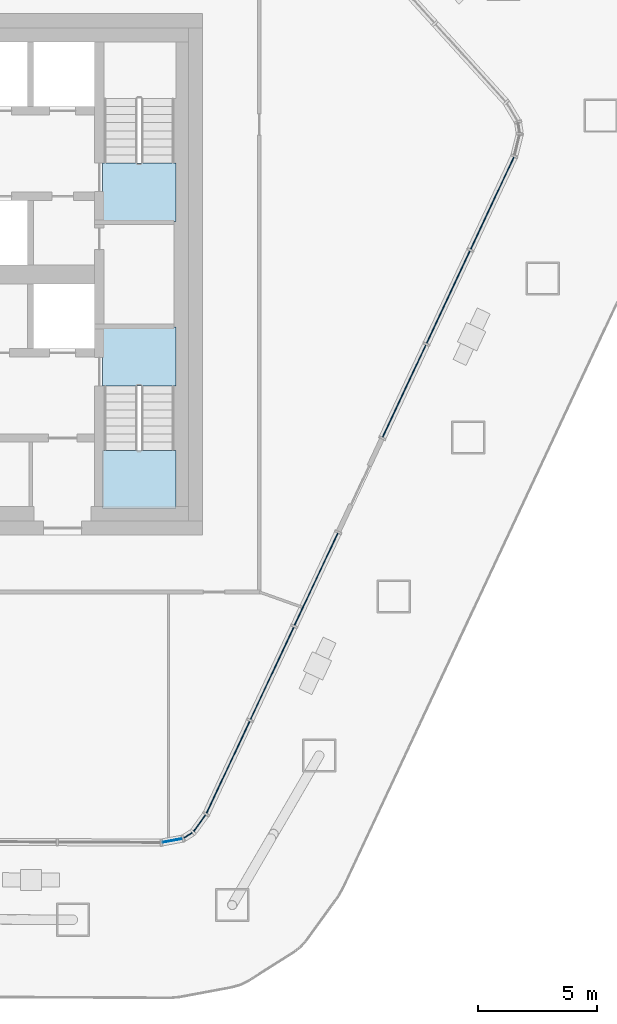
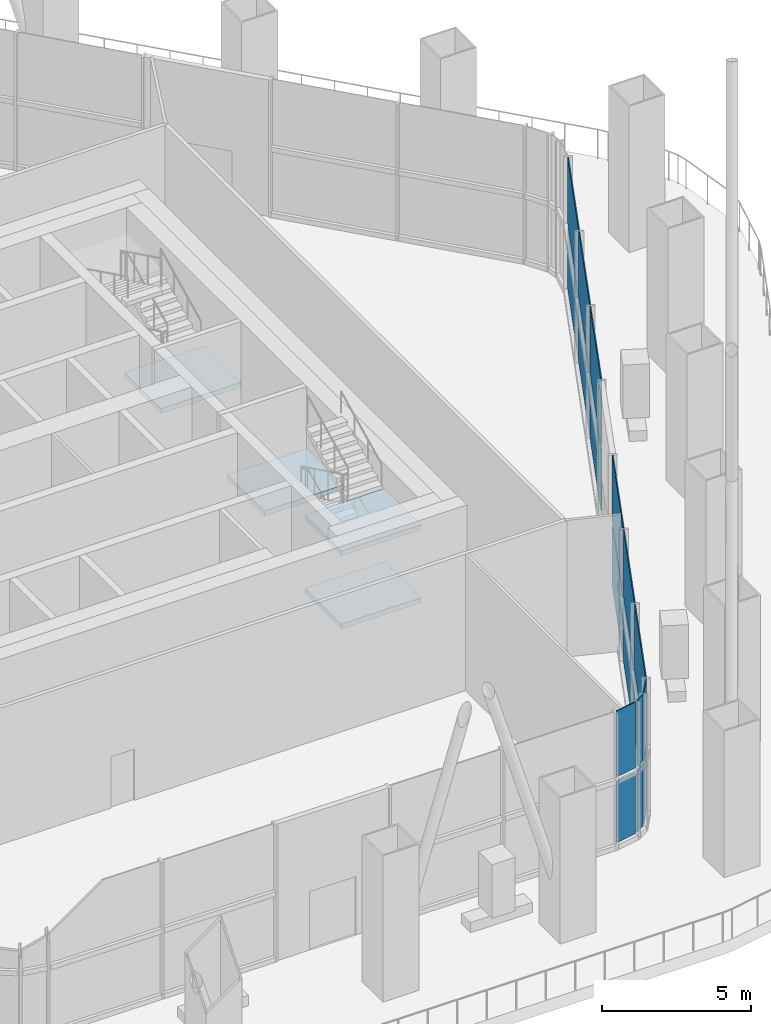
# One storey, part 9 of 20: 18 plates, 4 slabs, 5 elements without a shape of their own.
"""IFC4 building model written with IfcOpenShell, lengths in metres."""

from ifc_helpers import new_model, si_unit, direction, frame, origin, origin_2d, place, context, subcontext, project, spatial, polyline, rectangle, outline, extrude, material, layer, layer_set, type_object, element, aggregate, save


model = new_model("IFC4")

# Units and contexts
model_context = context("Model", 3, precision=1e-05, world=origin(), true_north=direction((0.0, 1.0)))
body_context = subcontext(model_context, "Body", "Model", "MODEL_VIEW")
ifc_project = project(units=[si_unit("LENGTHUNIT", "METRE"), si_unit("AREAUNIT", "SQUARE_METRE"), si_unit("VOLUMEUNIT", "CUBIC_METRE"), si_unit("PLANEANGLEUNIT", "RADIAN"), si_unit("MASSUNIT", "GRAM", prefix="KILO")], contexts=[model_context])

# Site, building, storey
site_placement = place(None, origin())
site = spatial("IfcSite", under=ifc_project, at=site_placement, CompositionType="ELEMENT")
building_placement = place(site_placement, origin())
building = spatial("IfcBuilding", under=site, at=building_placement, Name="Dongbaek Canopy Tower", CompositionType="ELEMENT")
storey_placement = place(building_placement, frame((0.0, 0.0, 353.0)))
storey = spatial("IfcBuildingStorey", under=building, at=storey_placement, Name="L76", CompositionType="ELEMENT", Elevation=353.0)

# Curtain wall, plates
ifc_material_1 = material(Name="Aluminium 6063-T6 pale anodised", Category="aluminium")
ifc_layer_1 = layer(ifc_material_1, 0.300048828125)
ifc_layer_set_1 = layer_set([ifc_layer_1], Name="CW-5 observation lounge curtain wall")
curtain_wall_type = type_object("IfcCurtainWallType", Name="CW-5 observation lounge curtain wall", PredefinedType="NOTDEFINED", material=ifc_layer_set_1)
curtain_wall_1_placement = place(storey_placement, origin())
curtain_wall_1 = element("IfcCurtainWall", 1, at=curtain_wall_1_placement, inside=storey, type_object=curtain_wall_type, Name="CW-5 curtain wall K4.1", PredefinedType="NOTDEFINED")
ifc_material_2 = material(Name="Clear laminated glass", Category="glass")
ifc_layer_2 = layer(ifc_material_2, 0.0400390625)
ifc_layer_set_2 = layer_set([ifc_layer_2], Name="CW-5 glazed panel 40")
plate_type = type_object("IfcPlateType", Name="CW-5 glazed panel 40", PredefinedType="CURTAIN_PANEL", material=ifc_layer_set_2)
plate_1_placement = place(storey_placement, frame((12.718994140625, -23.88623046875, 0.199951171875), z_axis=(0.0, 0.0, 1.0), x_axis=(0.982921805861, 0.184023703808, 0.0)))
plate_1 = element("IfcPlate", 2, at=plate_1_placement, type_object=plate_type, Name="CW-5 panel K4.1.1.1", PredefinedType="CURTAIN_PANEL", context=body_context, shape_type="SweptSolid", body=[
    extrude(rectangle(XDim=0.837158203125, YDim=0.0400390625, at=origin_2d()), origin(), (0.0, 0.0, 1.0), 2.5),
])
plate_2_placement = place(storey_placement, frame((12.718994140625, -23.88623046875, 2.89990234375), z_axis=(0.0, 0.0, 1.0), x_axis=(0.982921805861, 0.184023703808, 0.0)))
plate_2 = element("IfcPlate", 3, at=plate_2_placement, type_object=plate_type, Name="CW-5 panel K4.1.1.2", PredefinedType="CURTAIN_PANEL", context=body_context, shape_type="SweptSolid", body=[
    extrude(rectangle(XDim=0.837158203125, YDim=0.0400390625, at=origin_2d()), origin(), (0.0, 0.0, 1.0), 2.699951171875),
])
plate_3_placement = place(storey_placement, frame((13.39111328125, -23.6669921875, 0.199951171875), z_axis=(0.0, 0.0, 1.0), x_axis=(0.845033550302, 0.534713286597, 0.0)))
plate_3 = element("IfcPlate", 4, at=plate_3_placement, type_object=plate_type, Name="CW-5 panel K4.1.2.1", PredefinedType="CURTAIN_PANEL", context=body_context, shape_type="SweptSolid", body=[
    extrude(rectangle(XDim=0.391845703125, YDim=0.0400390625, at=origin_2d()), origin(), (0.0, 0.0, 1.0), 2.5),
])
plate_4_placement = place(storey_placement, frame((13.39111328125, -23.6669921875, 2.89990234375), z_axis=(0.0, 0.0, 1.0), x_axis=(0.845033550302, 0.534713286597, 0.0)))
plate_4 = element("IfcPlate", 5, at=plate_4_placement, type_object=plate_type, Name="CW-5 panel K4.1.2.2", PredefinedType="CURTAIN_PANEL", context=body_context, shape_type="SweptSolid", body=[
    extrude(rectangle(XDim=0.391845703125, YDim=0.0400390625, at=origin_2d()), origin(), (0.0, 0.0, 1.0), 2.699951171875),
])
plate_5_placement = place(storey_placement, frame((13.876953125, -23.153564453125, 0.199951171875), z_axis=(0.0, 0.0, 1.0), x_axis=(0.587153358903, 0.809475714972, 0.0)))
plate_5 = element("IfcPlate", 6, at=plate_5_placement, type_object=plate_type, Name="CW-5 panel K4.1.3.1", PredefinedType="CURTAIN_PANEL", context=body_context, shape_type="SweptSolid", body=[
    extrude(rectangle(XDim=0.837158203125, YDim=0.0400390625, at=origin_2d()), origin(), (0.0, 0.0, 1.0), 2.5),
])
plate_6_placement = place(storey_placement, frame((13.876953125, -23.153564453125, 2.89990234375), z_axis=(0.0, 0.0, 1.0), x_axis=(0.587153358903, 0.809475714972, 0.0)))
plate_6 = element("IfcPlate", 7, at=plate_6_placement, type_object=plate_type, Name="CW-5 panel K4.1.3.2", PredefinedType="CURTAIN_PANEL", context=body_context, shape_type="SweptSolid", body=[
    extrude(rectangle(XDim=0.837158203125, YDim=0.0400390625, at=origin_2d()), origin(), (0.0, 0.0, 1.0), 2.699951171875),
])
aggregate(curtain_wall_1, [plate_1, plate_2, plate_3, plate_4, plate_5, plate_6])

curtain_wall_2_placement = place(storey_placement, origin())
curtain_wall_2 = element("IfcCurtainWall", 8, at=curtain_wall_2_placement, inside=storey, type_object=curtain_wall_type, Name="CW-5 curtain wall F5.1", PredefinedType="NOTDEFINED")
plate_7_placement = place(storey_placement, frame((15.08056640625, -20.79296875, 0.199951171875), z_axis=(0.0, 0.0, 1.0), x_axis=(0.424122866043, 0.905604656845, 0.0)))
plate_7 = element("IfcPlate", 9, at=plate_7_placement, type_object=plate_type, Name="CW-5 panel F5.1.1.1", PredefinedType="CURTAIN_PANEL", context=body_context, shape_type="SweptSolid", body=[
    extrude(rectangle(XDim=4.26806640625, YDim=0.0400390625, at=origin_2d()), origin(), (0.0, 0.0, 1.0), 2.5),
])
plate_8_placement = place(storey_placement, frame((15.08056640625, -20.79296875, 2.89990234375), z_axis=(0.0, 0.0, 1.0), x_axis=(0.424122866043, 0.905604656845, 0.0)))
plate_8 = element("IfcPlate", 10, at=plate_8_placement, type_object=plate_type, Name="CW-5 panel F5.1.1.2", PredefinedType="CURTAIN_PANEL", context=body_context, shape_type="SweptSolid", body=[
    extrude(rectangle(XDim=4.26806640625, YDim=0.0400390625, at=origin_2d()), origin(), (0.0, 0.0, 1.0), 2.699951171875),
])
plate_9_placement = place(storey_placement, frame((16.936767578125, -16.829345703125, 0.199951171875), z_axis=(0.0, 0.0, 1.0), x_axis=(0.424122866043, 0.905604656845, 0.0)))
plate_9 = element("IfcPlate", 11, at=plate_9_placement, type_object=plate_type, Name="CW-5 panel F5.1.2.1", PredefinedType="CURTAIN_PANEL", context=body_context, shape_type="SweptSolid", body=[
    extrude(rectangle(XDim=4.277587890625, YDim=0.0400390625, at=origin_2d()), origin(), (0.0, 0.0, 1.0), 2.5),
])
plate_10_placement = place(storey_placement, frame((16.936767578125, -16.829345703125, 2.89990234375), z_axis=(0.0, 0.0, 1.0), x_axis=(0.424122866043, 0.905604656845, 0.0)))
plate_10 = element("IfcPlate", 12, at=plate_10_placement, type_object=plate_type, Name="CW-5 panel F5.1.2.2", PredefinedType="CURTAIN_PANEL", context=body_context, shape_type="SweptSolid", body=[
    extrude(rectangle(XDim=4.277587890625, YDim=0.0400390625, at=origin_2d()), origin(), (0.0, 0.0, 1.0), 2.699951171875),
])
plate_11_placement = place(storey_placement, frame((18.795166015625, -12.861328125, 0.199951171875), z_axis=(0.0, 0.0, 1.0), x_axis=(0.424122866043, 0.905604656845, 0.0)))
plate_11 = element("IfcPlate", 13, at=plate_11_placement, type_object=plate_type, Name="CW-5 panel F5.1.3.1", PredefinedType="CURTAIN_PANEL", context=body_context, shape_type="SweptSolid", body=[
    extrude(rectangle(XDim=4.277587890625, YDim=0.0400390625, at=origin_2d()), origin(), (0.0, 0.0, 1.0), 2.5),
])
plate_12_placement = place(storey_placement, frame((18.795166015625, -12.861328125, 2.89990234375), z_axis=(0.0, 0.0, 1.0), x_axis=(0.424122866043, 0.905604656845, 0.0)))
plate_12 = element("IfcPlate", 14, at=plate_12_placement, type_object=plate_type, Name="CW-5 panel F5.1.3.2", PredefinedType="CURTAIN_PANEL", context=body_context, shape_type="SweptSolid", body=[
    extrude(rectangle(XDim=4.277587890625, YDim=0.0400390625, at=origin_2d()), origin(), (0.0, 0.0, 1.0), 2.699951171875),
])
aggregate(curtain_wall_2, [plate_7, plate_8, plate_9, plate_10, plate_11, plate_12])

curtain_wall_3_placement = place(storey_placement, origin())
curtain_wall_3 = element("IfcCurtainWall", 15, at=curtain_wall_3_placement, inside=storey, type_object=curtain_wall_type, Name="CW-5 curtain wall F5.2", PredefinedType="NOTDEFINED")
plate_13_placement = place(storey_placement, frame((22.51171875, -4.925537109375, 0.199951171875), z_axis=(0.0, 0.0, 1.0), x_axis=(0.424122866043, 0.905604656845, 0.0)))
plate_13 = element("IfcPlate", 16, at=plate_13_placement, type_object=plate_type, Name="CW-5 panel F5.2.1.1", PredefinedType="CURTAIN_PANEL", context=body_context, shape_type="SweptSolid", body=[
    extrude(rectangle(XDim=4.277587890625, YDim=0.0400390625, at=origin_2d()), origin(), (0.0, 0.0, 1.0), 2.5),
])
plate_14_placement = place(storey_placement, frame((22.51171875, -4.925537109375, 2.89990234375), z_axis=(0.0, 0.0, 1.0), x_axis=(0.424122866043, 0.905604656845, 0.0)))
plate_14 = element("IfcPlate", 17, at=plate_14_placement, type_object=plate_type, Name="CW-5 panel F5.2.1.2", PredefinedType="CURTAIN_PANEL", context=body_context, shape_type="SweptSolid", body=[
    extrude(rectangle(XDim=4.277587890625, YDim=0.0400390625, at=origin_2d()), origin(), (0.0, 0.0, 1.0), 2.699951171875),
])
plate_15_placement = place(storey_placement, frame((24.3701171875, -0.95751953125, 0.199951171875), z_axis=(0.0, 0.0, 1.0), x_axis=(0.424122866043, 0.905604656845, 0.0)))
plate_15 = element("IfcPlate", 18, at=plate_15_placement, type_object=plate_type, Name="CW-5 panel F5.2.2.1", PredefinedType="CURTAIN_PANEL", context=body_context, shape_type="SweptSolid", body=[
    extrude(rectangle(XDim=4.277587890625, YDim=0.0400390625, at=origin_2d()), origin(), (0.0, 0.0, 1.0), 2.5),
])
plate_16_placement = place(storey_placement, frame((24.3701171875, -0.95751953125, 2.89990234375), z_axis=(0.0, 0.0, 1.0), x_axis=(0.424122866043, 0.905604656845, 0.0)))
plate_16 = element("IfcPlate", 19, at=plate_16_placement, type_object=plate_type, Name="CW-5 panel F5.2.2.2", PredefinedType="CURTAIN_PANEL", context=body_context, shape_type="SweptSolid", body=[
    extrude(rectangle(XDim=4.277587890625, YDim=0.0400390625, at=origin_2d()), origin(), (0.0, 0.0, 1.0), 2.699951171875),
])
plate_17_placement = place(storey_placement, frame((26.226318359375, 3.006103515625, 0.199951171875), z_axis=(0.0, 0.0, 1.0), x_axis=(0.424122866043, 0.905604656845, 0.0)))
plate_17 = element("IfcPlate", 20, at=plate_17_placement, type_object=plate_type, Name="CW-5 panel F5.2.3.1", PredefinedType="CURTAIN_PANEL", context=body_context, shape_type="SweptSolid", body=[
    extrude(rectangle(XDim=4.267822265625, YDim=0.0400390625, at=origin_2d()), origin(), (0.0, 0.0, 1.0), 2.5),
])
plate_18_placement = place(storey_placement, frame((26.226318359375, 3.006103515625, 2.89990234375), z_axis=(0.0, 0.0, 1.0), x_axis=(0.424122866043, 0.905604656845, 0.0)))
plate_18 = element("IfcPlate", 21, at=plate_18_placement, type_object=plate_type, Name="CW-5 panel F5.2.3.2", PredefinedType="CURTAIN_PANEL", context=body_context, shape_type="SweptSolid", body=[
    extrude(rectangle(XDim=4.267822265625, YDim=0.0400390625, at=origin_2d()), origin(), (0.0, 0.0, 1.0), 2.699951171875),
])
aggregate(curtain_wall_3, [plate_13, plate_14, plate_15, plate_16, plate_17, plate_18])

# Stair, slab
ifc_material_3 = material(Name="Concrete C40/50", Category="concrete")
stair_type = type_object("IfcStairType", Name="Core exit stair", PredefinedType="HALF_TURN_STAIR", material=ifc_material_3)
stair_1_placement = place(storey_placement, origin())
stair_1 = element("IfcStair", 22, at=stair_1_placement, inside=storey, type_object=stair_type, Name="L76 exit stair A", PredefinedType="HALF_TURN_STAIR")
ifc_material_4 = material(Name="Concrete C40/50", Category="concrete")
ifc_layer_3 = layer(ifc_material_4, 0.199951171875)
ifc_layer_set_3 = layer_set([ifc_layer_3], Name="Core stair landing 200")
slab_type = type_object("IfcSlabType", Name="Core stair landing 200", PredefinedType="LANDING", material=ifc_layer_set_3)
slab_1_placement = place(storey_placement, frame((0.0, 0.0, 2.800048828125)))
slab_1 = element("IfcSlab", 23, at=slab_1_placement, type_object=slab_type, Name="ST-A landing 2", PredefinedType="LANDING", context=body_context, shape_type="SweptSolid", body=[
    extrude(outline(polyline([(12.875, 2.22509765625), (12.875, 4.699951171875), (9.77490234375, 4.699951171875), (9.77490234375, 2.22509765625), (12.875, 2.22509765625)])), origin(), (0.0, 0.0, 1.0), 0.199951171875),
])
aggregate(stair_1, [slab_1])

# Stair, slabs
stair_2_placement = place(storey_placement, origin())
stair_2 = element("IfcStair", 24, at=stair_2_placement, inside=storey, type_object=stair_type, Name="L76 exit stair B", PredefinedType="HALF_TURN_STAIR")
slab_2_placement = place(storey_placement, frame((0.0, 0.0, 1.300048828125)))
slab_2 = element("IfcSlab", 25, at=slab_2_placement, type_object=slab_type, Name="ST-B landing 1", PredefinedType="LANDING", context=body_context, shape_type="SweptSolid", body=[
    extrude(outline(polyline([(9.77490234375, -7.419921875), (9.77490234375, -9.875), (12.875, -9.875), (12.875, -7.419921875), (9.77490234375, -7.419921875)])), origin(), (0.0, 0.0, 1.0), 0.199951171875),
])
slab_3_placement = place(storey_placement, frame((0.0, 0.0, 2.800048828125)))
slab_3 = element("IfcSlab", 26, at=slab_3_placement, type_object=slab_type, Name="ST-B landing 2", PredefinedType="LANDING", context=body_context, shape_type="SweptSolid", body=[
    extrude(outline(polyline([(9.77490234375, -2.22509765625), (9.77490234375, -4.699951171875), (12.875, -4.699951171875), (12.875, -2.22509765625), (9.77490234375, -2.22509765625)])), origin(), (0.0, 0.0, 1.0), 0.199951171875),
])
slab_4_placement = place(storey_placement, frame((0.0, 0.0, 4.300048828125)))
slab_4 = element("IfcSlab", 27, at=slab_4_placement, type_object=slab_type, Name="ST-B landing 3", PredefinedType="LANDING", context=body_context, shape_type="SweptSolid", body=[
    extrude(outline(polyline([(9.77490234375, -7.419921875), (9.77490234375, -9.875), (12.875, -9.875), (12.875, -7.419921875), (9.77490234375, -7.419921875)])), origin(), (0.0, 0.0, 1.0), 0.199951171875),
])
aggregate(stair_2, [slab_2, slab_3, slab_4])

save(model, "model.ifc")
